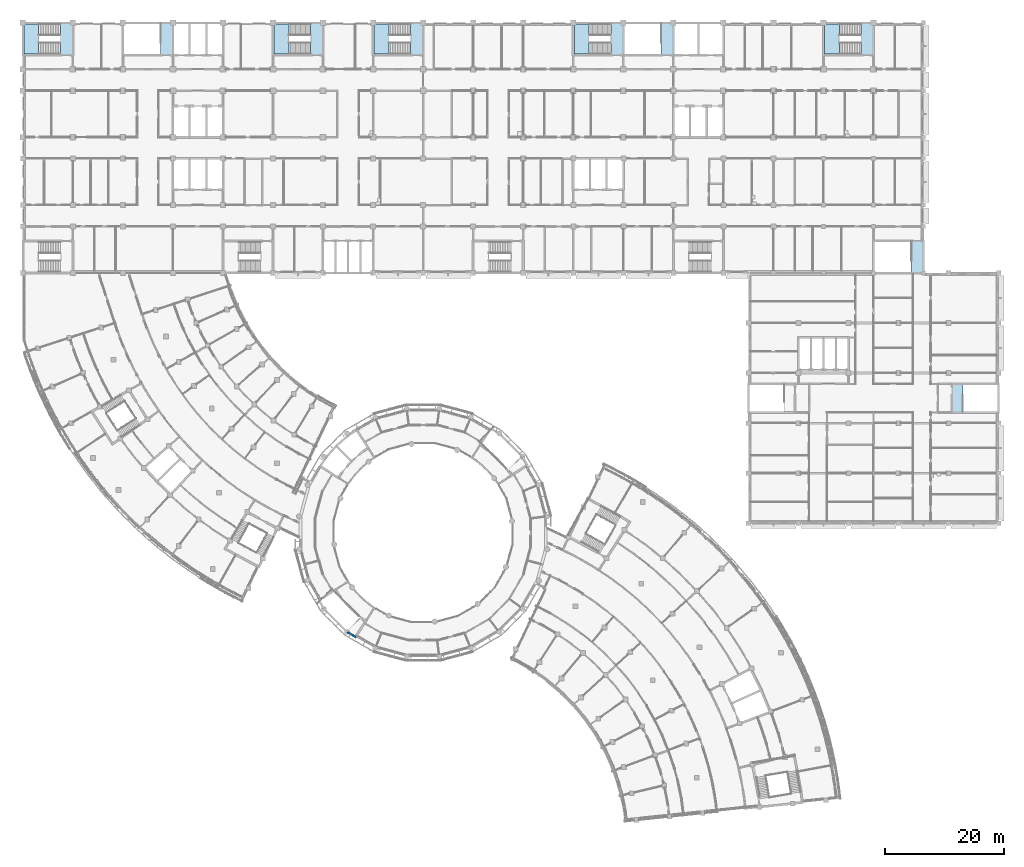
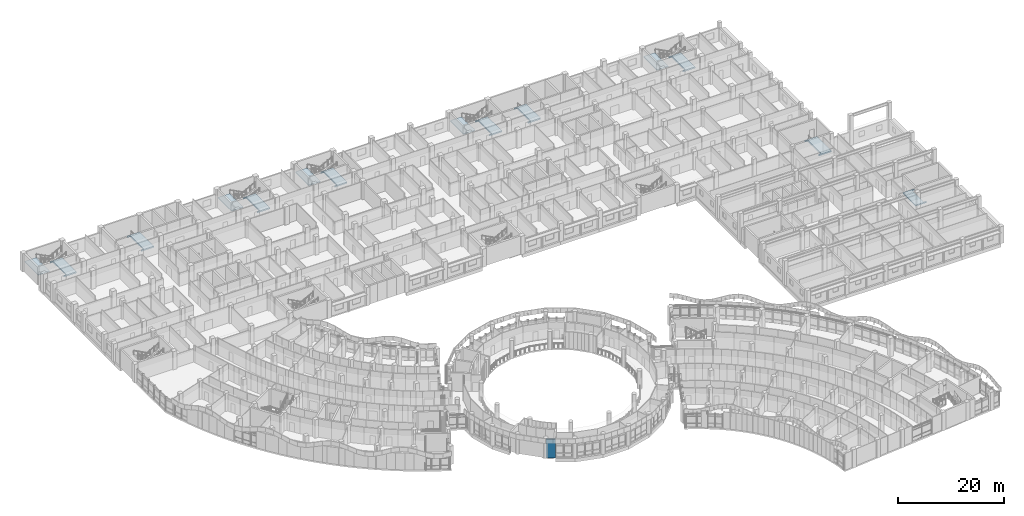
# One storey, part 43 of 109: 14 slabs, 1 wall, 5 elements without a shape of their own.
"""IFC4 building model written with IfcOpenShell, lengths in metres."""

from ifc_helpers import new_model, si_unit, direction, frame, frame_2d, origin, place, context, subcontext, project, spatial, polyline, rectangle, outline, extrude, material, layer, layer_set, type_object, element, aggregate, save


model = new_model("IFC4")

# Units and contexts
model_context = context("Model", 3, precision=1e-05, world=origin(), true_north=direction((0.0, 1.0)))
body_context = subcontext(model_context, "Body", "Model", "MODEL_VIEW")
ifc_project = project(units=[si_unit("LENGTHUNIT", "METRE"), si_unit("AREAUNIT", "SQUARE_METRE"), si_unit("VOLUMEUNIT", "CUBIC_METRE"), si_unit("PLANEANGLEUNIT", "RADIAN"), si_unit("MASSUNIT", "GRAM", prefix="KILO")], contexts=[model_context])

# Site, building, storey
site_placement = place(None, origin())
site = spatial("IfcSite", under=ifc_project, at=site_placement, CompositionType="ELEMENT")
building_placement = place(site_placement, origin())
building = spatial("IfcBuilding", under=site, at=building_placement, Name="Bougainvillea Quay General Hospital", CompositionType="ELEMENT")
storey_placement = place(building_placement, frame((0.0, 0.0, 12.60009765625)))
storey = spatial("IfcBuildingStorey", under=building, at=storey_placement, Name="L02", CompositionType="ELEMENT", Elevation=12.60009765625)

# Slabs
ifc_material_1 = material(Name="Concrete C35", Category="concrete")
ifc_layer_1 = layer(ifc_material_1, 0.300048828125)
ifc_layer_set_1 = layer_set([ifc_layer_1], Name="Concrete C35")
slab_type_1 = type_object("IfcSlabType", Name="RC FLAT SLAB 300 C35", PredefinedType="FLOOR", material=ifc_layer_set_1)
slab_1_placement = place(storey_placement, frame((0.0, 0.0, -0.300048828125)))
element("IfcSlab", 1, at=slab_1_placement, inside=storey, type_object=slab_type_1, Name="Stair landing floor ST-D1 L02", PredefinedType="FLOOR", context=body_context, shape_type="SweptSolid", body=[
    extrude(outline(polyline([(64.5029296875, 159.48388671875), (64.511474609375, 159.5419921875), (64.52587890625, 159.599609375), (67.199951171875, 159.60009765625), (67.199951171875, 154.199951171875), (64.52587890625, 154.200439453125), (64.511474609375, 154.2578125), (64.5029296875, 154.316162109375), (64.5, 154.3740234375), (65.1005859375, 154.374267578125), (65.1005859375, 159.425537109375), (64.5, 159.426025390625), (64.5029296875, 159.48388671875)])), origin(), (0.0, 0.0, 1.0), 0.300048828125),
])
slab_2_placement = place(storey_placement, frame((0.0, 0.0, -0.300048828125)))
element("IfcSlab", 2, at=slab_2_placement, inside=storey, type_object=slab_type_1, Name="Stair landing floor ST-D3 L02", PredefinedType="FLOOR", context=body_context, shape_type="SweptSolid", body=[
    extrude(outline(polyline([(148.5029296875, 159.48388671875), (148.511474609375, 159.5419921875), (148.52587890625, 159.599609375), (151.199951171875, 159.60009765625), (151.199951171875, 154.199951171875), (148.52587890625, 154.200439453125), (148.511474609375, 154.2578125), (148.5029296875, 154.316162109375), (148.5, 154.3740234375), (149.1005859375, 154.374267578125), (149.1005859375, 159.425537109375), (148.5, 159.426025390625), (148.5029296875, 159.48388671875)])), origin(), (0.0, 0.0, 1.0), 0.300048828125),
])
slab_3_placement = place(storey_placement, frame((0.0, 0.0, -0.300048828125)))
element("IfcSlab", 3, at=slab_3_placement, inside=storey, type_object=slab_type_1, Name="Stair landing floor ST-D4 L02", PredefinedType="FLOOR", context=body_context, shape_type="SweptSolid", body=[
    extrude(outline(polyline([(190.5029296875, 122.8837890625), (190.511474609375, 122.942138671875), (190.52587890625, 122.99951171875), (193.199951171875, 123.0), (193.199951171875, 117.60009765625), (190.52587890625, 117.600341796875), (190.511474609375, 117.657958984375), (190.5029296875, 117.71630859375), (190.5, 117.77392578125), (191.1005859375, 117.7744140625), (191.1005859375, 122.82568359375), (190.5, 122.825927734375), (190.5029296875, 122.8837890625)])), origin(), (0.0, 0.0, 1.0), 0.300048828125),
])
slab_4_placement = place(storey_placement, frame((0.0, 0.0, -0.300048828125)))
element("IfcSlab", 4, at=slab_4_placement, inside=storey, type_object=slab_type_1, Name="Stair landing floor ST-T2 L02", PredefinedType="FLOOR", context=body_context, shape_type="SweptSolid", body=[
    extrude(outline(polyline([(200.422119140625, 94.316162109375), (200.41357421875, 94.2578125), (200.399169921875, 94.200439453125), (198.0, 94.199951171875), (198.0, 99.0), (200.399169921875, 98.99951171875), (200.41357421875, 98.942138671875), (200.422119140625, 98.8837890625), (200.425048828125, 98.825927734375), (199.824462890625, 98.82568359375), (199.824462890625, 94.374267578125), (200.425048828125, 94.3740234375), (200.422119140625, 94.316162109375)])), origin(), (0.0, 0.0, 1.0), 0.300048828125),
])
slab_5_placement = place(storey_placement, frame((0.0, 0.0, -0.300048828125)))
element("IfcSlab", 5, at=slab_5_placement, inside=storey, type_object=slab_type_1, Name="Stair landing floor ST-A1 L02", PredefinedType="FLOOR", context=body_context, shape_type="SweptSolid", body=[
    extrude(outline(polyline([(47.702880859375, 159.48388671875), (47.71142578125, 159.5419921875), (47.725830078125, 159.599609375), (50.39990234375, 159.60009765625), (50.39990234375, 154.199951171875), (47.725830078125, 154.200439453125), (47.71142578125, 154.2578125), (47.702880859375, 154.316162109375), (47.699951171875, 154.3740234375), (48.300537109375, 154.374267578125), (48.300537109375, 159.425537109375), (47.699951171875, 159.426025390625), (47.702880859375, 159.48388671875)])), origin(), (0.0, 0.0, 1.0), 0.300048828125),
])
slab_6_placement = place(storey_placement, frame((0.0, 0.0, -0.300048828125)))
element("IfcSlab", 6, at=slab_6_placement, inside=storey, type_object=slab_type_1, Name="Stair landing floor ST-A2 L02", PredefinedType="FLOOR", context=body_context, shape_type="SweptSolid", body=[
    extrude(outline(polyline([(89.702880859375, 159.48388671875), (89.71142578125, 159.5419921875), (89.725830078125, 159.599609375), (92.39990234375, 159.60009765625), (92.39990234375, 154.199951171875), (89.725830078125, 154.200439453125), (89.71142578125, 154.2578125), (89.702880859375, 154.316162109375), (89.699951171875, 154.3740234375), (90.300537109375, 154.374267578125), (90.300537109375, 159.425537109375), (89.699951171875, 159.426025390625), (89.702880859375, 159.48388671875)])), origin(), (0.0, 0.0, 1.0), 0.300048828125),
])
slab_7_placement = place(storey_placement, frame((0.0, 0.0, -0.300048828125)))
element("IfcSlab", 7, at=slab_7_placement, inside=storey, type_object=slab_type_1, Name="Stair landing floor ST-A3 L02", PredefinedType="FLOOR", context=body_context, shape_type="SweptSolid", body=[
    extrude(outline(polyline([(140.102783203125, 159.48388671875), (140.111572265625, 159.5419921875), (140.1259765625, 159.599609375), (142.800048828125, 159.60009765625), (142.800048828125, 154.199951171875), (140.1259765625, 154.200439453125), (140.111572265625, 154.2578125), (140.102783203125, 154.316162109375), (140.10009765625, 154.3740234375), (140.70068359375, 154.374267578125), (140.70068359375, 159.425537109375), (140.10009765625, 159.426025390625), (140.102783203125, 159.48388671875)])), origin(), (0.0, 0.0, 1.0), 0.300048828125),
])
slab_8_placement = place(storey_placement, frame((0.0, 0.0, -0.300048828125)))
element("IfcSlab", 8, at=slab_8_placement, inside=storey, type_object=slab_type_1, Name="Stair landing floor ST-A4 L02", PredefinedType="FLOOR", context=body_context, shape_type="SweptSolid", body=[
    extrude(outline(polyline([(182.102783203125, 159.48388671875), (182.111572265625, 159.5419921875), (182.1259765625, 159.599609375), (184.800048828125, 159.60009765625), (184.800048828125, 154.199951171875), (182.1259765625, 154.200439453125), (182.111572265625, 154.2578125), (182.102783203125, 154.316162109375), (182.10009765625, 154.3740234375), (182.70068359375, 154.374267578125), (182.70068359375, 159.425537109375), (182.10009765625, 159.426025390625), (182.102783203125, 159.48388671875)])), origin(), (0.0, 0.0, 1.0), 0.300048828125),
])
slab_9_placement = place(storey_placement, frame((0.0, 0.0, -0.300048828125)))
element("IfcSlab", 9, at=slab_9_placement, inside=storey, type_object=slab_type_1, Name="Stair landing floor ST-A5 L02", PredefinedType="FLOOR", context=body_context, shape_type="SweptSolid", body=[
    extrude(outline(polyline([(106.5029296875, 159.48388671875), (106.511474609375, 159.5419921875), (106.52587890625, 159.599609375), (109.199951171875, 159.60009765625), (109.199951171875, 154.199951171875), (106.52587890625, 154.200439453125), (106.511474609375, 154.2578125), (106.5029296875, 154.316162109375), (106.5, 154.3740234375), (107.1005859375, 154.374267578125), (107.1005859375, 159.425537109375), (106.5, 159.426025390625), (106.5029296875, 159.48388671875)])), origin(), (0.0, 0.0, 1.0), 0.300048828125),
])

# Stair, slab
stair_type = type_object("IfcStairType", Name="Stair half-turn 1925 wide", PredefinedType="HALF_TURN_STAIR", material=ifc_material_1)
stair_1_placement = place(storey_placement, origin())
stair_1 = element("IfcStair", 10, at=stair_1_placement, inside=storey, type_object=stair_type, Name="L02 stair ST-A1", PredefinedType="HALF_TURN_STAIR")
ifc_layer_2 = layer(ifc_material_1, 0.199951171875)
ifc_layer_set_2 = layer_set([ifc_layer_2], Name="Concrete C35")
slab_type_2 = type_object("IfcSlabType", Name="Stair landing 200", PredefinedType="LANDING", material=ifc_layer_set_2)
slab_10_placement = place(storey_placement, frame((0.0, 0.0, 1.89990234375)))
slab_10 = element("IfcSlab", 11, at=slab_10_placement, type_object=slab_type_2, Name="ST-A1 landing 1", PredefinedType="LANDING", context=body_context, shape_type="SweptSolid", body=[
    extrude(outline(polyline([(44.659912109375, 159.425048828125), (42.175048828125, 159.425048828125), (42.175048828125, 154.375), (44.659912109375, 154.375), (44.659912109375, 159.425048828125)])), origin(), (0.0, 0.0, 1.0), 0.199951171875),
])
aggregate(stair_1, [slab_10])

stair_2_placement = place(storey_placement, origin())
stair_2 = element("IfcStair", 12, at=stair_2_placement, inside=storey, type_object=stair_type, Name="L02 stair ST-A2", PredefinedType="HALF_TURN_STAIR")
slab_11_placement = place(storey_placement, frame((0.0, 0.0, 1.89990234375)))
slab_11 = element("IfcSlab", 13, at=slab_11_placement, type_object=slab_type_2, Name="ST-A2 landing 1", PredefinedType="LANDING", context=body_context, shape_type="SweptSolid", body=[
    extrude(outline(polyline([(86.659912109375, 159.425048828125), (84.175048828125, 159.425048828125), (84.175048828125, 154.375), (86.659912109375, 154.375), (86.659912109375, 159.425048828125)])), origin(), (0.0, 0.0, 1.0), 0.199951171875),
])
aggregate(stair_2, [slab_11])

stair_3_placement = place(storey_placement, origin())
stair_3 = element("IfcStair", 14, at=stair_3_placement, inside=storey, type_object=stair_type, Name="L02 stair ST-A3", PredefinedType="HALF_TURN_STAIR")
slab_12_placement = place(storey_placement, frame((0.0, 0.0, 1.89990234375)))
slab_12 = element("IfcSlab", 15, at=slab_12_placement, type_object=slab_type_2, Name="ST-A3 landing 1", PredefinedType="LANDING", context=body_context, shape_type="SweptSolid", body=[
    extrude(outline(polyline([(137.06005859375, 159.425048828125), (134.574951171875, 159.425048828125), (134.574951171875, 154.375), (137.06005859375, 154.375), (137.06005859375, 159.425048828125)])), origin(), (0.0, 0.0, 1.0), 0.199951171875),
])
aggregate(stair_3, [slab_12])

stair_4_placement = place(storey_placement, origin())
stair_4 = element("IfcStair", 16, at=stair_4_placement, inside=storey, type_object=stair_type, Name="L02 stair ST-A4", PredefinedType="HALF_TURN_STAIR")
slab_13_placement = place(storey_placement, frame((0.0, 0.0, 1.89990234375)))
slab_13 = element("IfcSlab", 17, at=slab_13_placement, type_object=slab_type_2, Name="ST-A4 landing 1", PredefinedType="LANDING", context=body_context, shape_type="SweptSolid", body=[
    extrude(outline(polyline([(179.06005859375, 159.425048828125), (176.574951171875, 159.425048828125), (176.574951171875, 154.375), (179.06005859375, 154.375), (179.06005859375, 159.425048828125)])), origin(), (0.0, 0.0, 1.0), 0.199951171875),
])
aggregate(stair_4, [slab_13])

stair_5_placement = place(storey_placement, origin())
stair_5 = element("IfcStair", 18, at=stair_5_placement, inside=storey, type_object=stair_type, Name="L02 stair ST-A5", PredefinedType="HALF_TURN_STAIR")
slab_14_placement = place(storey_placement, frame((0.0, 0.0, 1.89990234375)))
slab_14 = element("IfcSlab", 19, at=slab_14_placement, type_object=slab_type_2, Name="ST-A5 landing 1", PredefinedType="LANDING", context=body_context, shape_type="SweptSolid", body=[
    extrude(outline(polyline([(103.4599609375, 159.425048828125), (100.97509765625, 159.425048828125), (100.97509765625, 154.375), (103.4599609375, 154.375), (103.4599609375, 159.425048828125)])), origin(), (0.0, 0.0, 1.0), 0.199951171875),
])
aggregate(stair_5, [slab_14])

# Wall
ifc_material_2 = material(Name="Concrete C40", Category="concrete")
ifc_layer_3 = layer(ifc_material_2, 0.35009765625)
ifc_layer_set_3 = layer_set([ifc_layer_3], Name="Concrete C40")
wall_type = type_object("IfcWallType", Name="RC SHEAR WALL 350 C40", PredefinedType="SHEAR", material=ifc_layer_set_3)
wall_placement = place(storey_placement, frame((96.43603515625, 57.328369140625, 0.0), z_axis=(0.0, 0.0, 1.0), x_axis=(0.866050214951, -0.499957023337, 0.0)))
element("IfcWall", 20, at=wall_placement, inside=storey, type_object=wall_type, Name="Shear wall L02", PredefinedType="SHEAR", context=body_context, shape_type="SweptSolid", body=[
    extrude(rectangle(XDim=1.802001953125, YDim=0.35009765625, at=frame_2d((0.90087890625, 0.0))), origin(), (0.0, 0.0, 1.0), 4.199951171875),
])

save(model, "model.ifc")
